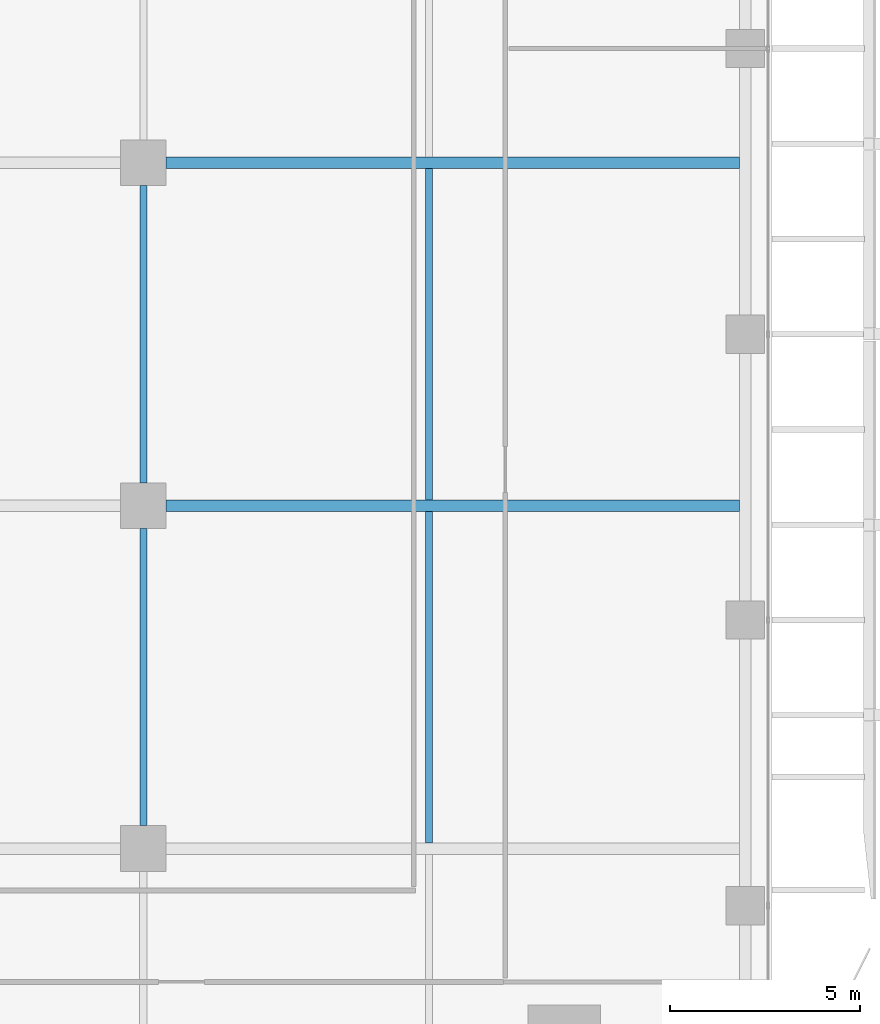
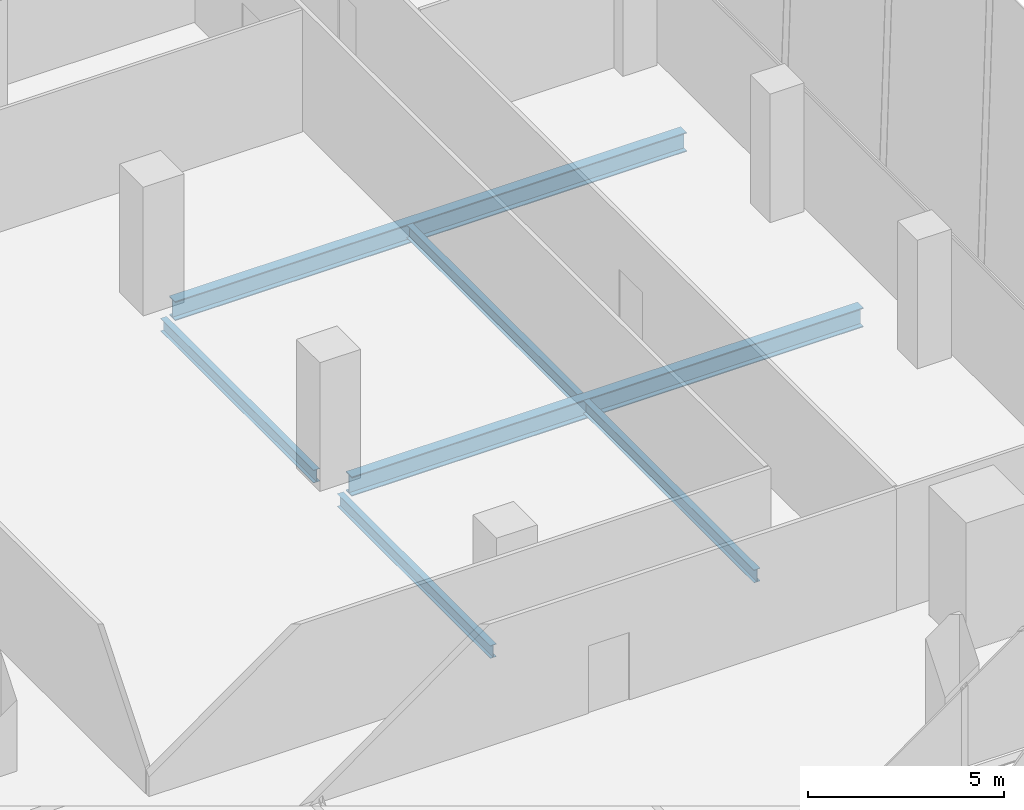
# One storey, part 12 of 35: 6 beams.
"""IFC4 building model written with IfcOpenShell, lengths in metres."""

from ifc_helpers import new_model, si_unit, direction, frame, origin, origin_2d, place, context, subcontext, project, spatial, i_section, extrude, source, transform, mapped, material, material_profile, profile_set, type_object, element, save


model = new_model("IFC4")

# Units and contexts
model_context = context("Model", 3, precision=1e-05, world=origin(), true_north=direction((0.0, 1.0)))
body_context = subcontext(model_context, "Body", "Model", "MODEL_VIEW")
ifc_project = project(units=[si_unit("LENGTHUNIT", "METRE"), si_unit("AREAUNIT", "SQUARE_METRE"), si_unit("VOLUMEUNIT", "CUBIC_METRE"), si_unit("PLANEANGLEUNIT", "RADIAN"), si_unit("MASSUNIT", "GRAM", prefix="KILO")], contexts=[model_context])

# Site, building, storey
site_placement = place(None, origin())
site = spatial("IfcSite", under=ifc_project, at=site_placement, CompositionType="ELEMENT")
building_placement = place(site_placement, origin())
building = spatial("IfcBuilding", under=site, at=building_placement, Name="Khomas Fold Tower", CompositionType="ELEMENT")
storey_placement = place(building_placement, frame((0.0, 0.0, 212.699951171875)))
storey = spatial("IfcBuildingStorey", under=building, at=storey_placement, Name="L47", CompositionType="ELEMENT", Elevation=212.699951171875)

# Beams
ifc_material_1 = material(Name="Steel S355", Category="steel")
ifc_material_profile_1 = material_profile(ifc_material_1, i_section(OverallWidth=0.179931640625, OverallDepth=0.39990234375, WebThickness=0.008544921875, FlangeThickness=0.013427734375, at=origin_2d()), Name="IPE 400")
ifc_profile_set_1 = profile_set([ifc_material_profile_1], Name="Steel S355")
beam_type_1 = type_object("IfcBeamType", Name="IPE 400 beam JB3", PredefinedType="BEAM", material=ifc_profile_set_1)
shared_shape_1 = source(origin(), body_context, "Body", "SweptSolid", [
    extrude(i_section(OverallWidth=0.179931640625, OverallDepth=0.39990234375, WebThickness=0.008544921875, FlangeThickness=0.013427734375, at=origin_2d()), origin(), (0.0, 0.0, 1.0), 8.7001953125),
])
for number, where, z_axis, x_axis, name in (
    (1, (42.0, 13.64990234375, -0.449951171875), (0.0, 1.0, 0.0), (-1.0, 0.0, 0.0), "JB3"),
    (2, (42.0, 22.64990234375, -0.449951171875), (0.0, 1.0, 0.0), (-1.0, 0.0, 0.0), "JB3"),
):
    element("IfcBeam", number, at=place(storey_placement, frame(where, z_axis=z_axis, x_axis=x_axis)), inside=storey, type_object=beam_type_1, Name=name, PredefinedType="BEAM", context=body_context, shape_type="MappedRepresentation", body=[
        mapped(shared_shape_1, transform((0.0, 0.0, 0.0))),
    ])
ifc_material_2 = material(Name="Steel S355", Category="steel")
ifc_material_profile_2 = material_profile(ifc_material_2, i_section(OverallWidth=0.300048828125, OverallDepth=0.60009765625, WebThickness=0.015380859375, FlangeThickness=0.030029296875, at=origin_2d()), Name="HE 600 B")
ifc_profile_set_2 = profile_set([ifc_material_profile_2], Name="Steel S355")
beam_type_2 = type_object("IfcBeamType", Name="HE 600 B beam GB5", PredefinedType="BEAM", material=ifc_profile_set_2)
shared_shape_2 = source(origin(), body_context, "Body", "SweptSolid", [
    extrude(i_section(OverallWidth=0.300048828125, OverallDepth=0.60009765625, WebThickness=0.015380859375, FlangeThickness=0.030029296875, at=origin_2d()), origin(), (0.0, 0.0, 1.0), 15.0498046875),
])
for number, where, z_axis, x_axis, name in (
    (3, (35.10009765625, 22.5, -0.550048828125), (1.0, 0.0, 0.0), (0.0, 1.0, 0.0), "GB5"),
    (4, (35.10009765625, 31.5, -0.550048828125), (1.0, 0.0, 0.0), (0.0, 1.0, 0.0), "GB5"),
):
    element("IfcBeam", number, at=place(storey_placement, frame(where, z_axis=z_axis, x_axis=x_axis)), inside=storey, type_object=beam_type_2, Name=name, PredefinedType="BEAM", context=body_context, shape_type="MappedRepresentation", body=[
        mapped(shared_shape_2, transform((0.0, 0.0, 0.0))),
    ])
shared_shape_3 = source(origin(), body_context, "Body", "SweptSolid", [
    extrude(i_section(OverallWidth=0.179931640625, OverallDepth=0.39990234375, WebThickness=0.008544921875, FlangeThickness=0.013427734375, at=origin_2d()), origin(), (0.0, 0.0, 1.0), 7.7998046875),
])
for number, where, z_axis, x_axis, name in (
    (5, (34.5, 14.10009765625, -0.449951171875), (0.0, 1.0, 0.0), (-1.0, 0.0, 0.0), "JB3"),
    (6, (34.5, 23.10009765625, -0.449951171875), (0.0, 1.0, 0.0), (-1.0, 0.0, 0.0), "JB3"),
):
    element("IfcBeam", number, at=place(storey_placement, frame(where, z_axis=z_axis, x_axis=x_axis)), inside=storey, type_object=beam_type_1, Name=name, PredefinedType="BEAM", context=body_context, shape_type="MappedRepresentation", body=[
        mapped(shared_shape_3, transform((0.0, 0.0, 0.0))),
    ])

save(model, "model.ifc")
